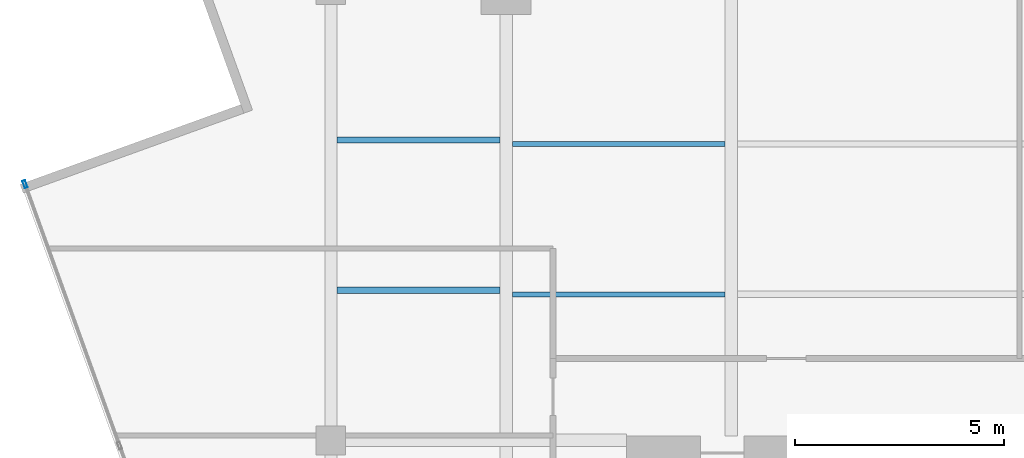
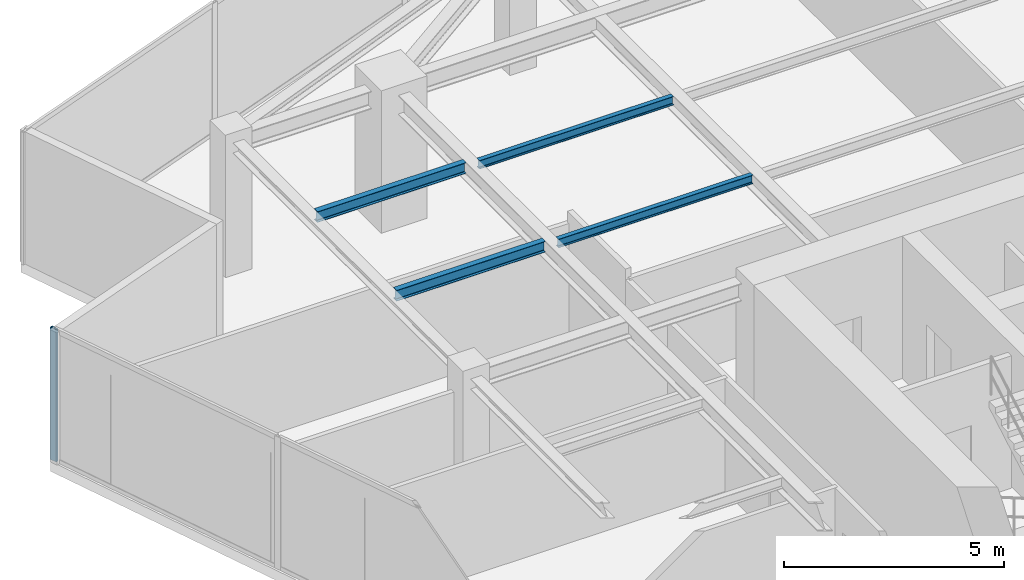
# One storey, part 7 of 21: 4 beams, 1 member, 1 element without a shape of its own.
"""IFC4 building model written with IfcOpenShell, lengths in metres."""

from ifc_helpers import new_model, si_unit, direction, frame, origin, origin_2d, place, context, subcontext, project, spatial, hollow_rectangle, i_section, extrude, source, transform, mapped, material, material_profile, profile_set, type_object, type_shapes, element, aggregate, save


model = new_model("IFC4")

# Units and contexts
model_context = context("Model", 3, precision=1e-05, world=origin(), true_north=direction((0.0, 1.0)))
body_context = subcontext(model_context, "Body", "Model", "MODEL_VIEW")
ifc_project = project(units=[si_unit("LENGTHUNIT", "METRE"), si_unit("AREAUNIT", "SQUARE_METRE"), si_unit("VOLUMEUNIT", "CUBIC_METRE"), si_unit("PLANEANGLEUNIT", "RADIAN"), si_unit("MASSUNIT", "GRAM", prefix="KILO")], contexts=[model_context])

# Site, building, storey
site_placement = place(None, origin())
site = spatial("IfcSite", under=ifc_project, at=site_placement, CompositionType="ELEMENT")
building_placement = place(site_placement, origin())
building = spatial("IfcBuilding", under=site, at=building_placement, Name="Krantzveldt Concourse Tower", CompositionType="ELEMENT")
storey_placement = place(building_placement, frame((0.0, 0.0, 335.60009765625)))
storey = spatial("IfcBuildingStorey", under=building, at=storey_placement, Name="L82", CompositionType="ELEMENT", Elevation=335.60009765625)

# Beams
ifc_material_1 = material(Name="Steel S355JR", Category="steel")
ifc_material_profile_1 = material_profile(ifc_material_1, i_section(OverallWidth=0.1201171875, OverallDepth=0.239990234375, WebThickness=0.006103515625, FlangeThickness=0.009765625, FilletRadius=0.014892578125, at=origin_2d()), Name="Steel S355JR", Category="steel")
ifc_profile_set_1 = profile_set([ifc_material_profile_1], Name="Steel S355JR - IPE 240")
beam_type_1 = type_object("IfcBeamType", Name="BM-LN-IPE240", PredefinedType="LINTEL", material=ifc_profile_set_1)
shared_shape_1 = source(origin(), body_context, "Body", "SweptSolid", [
    extrude(i_section(OverallWidth=0.1201171875, OverallDepth=0.239990234375, WebThickness=0.006103515625, FlangeThickness=0.009765625, FilletRadius=0.014892578125, at=origin_2d()), origin(), (0.0, 0.0, 1.0), 5.099853515625),
])
type_shapes(beam_type_1, [shared_shape_1])
for number, where, z_axis, x_axis, name in (
    (1, (25.35009765625, 30.199951171875, 3.5498046875), (1.0, 0.0, 0.0), (0.0, 1.0, 0.0), "L82 Secondary Floor Joist JN-W1"),
    (2, (25.35009765625, 33.800048828125, 3.5498046875), (1.0, 0.0, 0.0), (0.0, 1.0, 0.0), "L82 Secondary Floor Joist JN-W2"),
):
    element("IfcBeam", number, at=place(storey_placement, frame(where, z_axis=z_axis, x_axis=x_axis)), inside=storey, type_object=beam_type_1, Name=name, PredefinedType="LINTEL", context=body_context, shape_type="MappedRepresentation", body=[
        mapped(shared_shape_1, transform((0.0, 0.0, 0.0), x_axis=(1.0, 0.0, 0.0), y_axis=(0.0, 1.0, 0.0), z_axis=(0.0, 0.0, 1.0), scale=1.0)),
    ])
ifc_material_profile_2 = material_profile(ifc_material_1, i_section(OverallWidth=0.14990234375, OverallDepth=0.300048828125, WebThickness=0.007080078125, FlangeThickness=0.0107421875, FilletRadius=0.014892578125, at=origin_2d()), Name="Steel S355JR", Category="steel")
ifc_profile_set_2 = profile_set([ifc_material_profile_2], Name="Steel S355JR - IPE 300")
beam_type_2 = type_object("IfcBeamType", Name="BM-J-IPE300", PredefinedType="JOIST", material=ifc_profile_set_2)
shared_shape_2 = source(origin(), body_context, "Body", "SweptSolid", [
    extrude(i_section(OverallWidth=0.14990234375, OverallDepth=0.300048828125, WebThickness=0.007080078125, FlangeThickness=0.0107421875, FilletRadius=0.014892578125, at=origin_2d()), origin(), (0.0, 0.0, 1.0), 3.900146484375),
])
type_shapes(beam_type_2, [shared_shape_2])
for number, where, z_axis, x_axis, name in (
    (3, (21.14990234375, 30.300048828125, 3.52001953125), (1.0, 0.0, 0.0), (0.0, 1.0, 0.0), "L82 Secondary Floor Joist JW-3"),
    (4, (21.14990234375, 33.89990234375, 3.52001953125), (1.0, 0.0, 0.0), (0.0, 1.0, 0.0), "L82 Secondary Floor Joist JW-4"),
):
    element("IfcBeam", number, at=place(storey_placement, frame(where, z_axis=z_axis, x_axis=x_axis)), inside=storey, type_object=beam_type_2, Name=name, PredefinedType="JOIST", context=body_context, shape_type="MappedRepresentation", body=[
        mapped(shared_shape_2, transform((0.0, 0.0, 0.0), x_axis=(1.0, 0.0, 0.0), y_axis=(0.0, 1.0, 0.0), z_axis=(0.0, 0.0, 1.0), scale=1.0)),
    ])

# Curtain wall, member
ifc_material_2 = material(Name="Anodised aluminium 6063-T6", Category="aluminium")
curtain_wall_type = type_object("IfcCurtainWallType", Name="CW4", PredefinedType="USERDEFINED", material=ifc_material_2)
curtain_wall_placement = place(storey_placement, origin())
curtain_wall = element("IfcCurtainWall", 5, at=curtain_wall_placement, inside=storey, type_object=curtain_wall_type, Name="CW-L82-F04", ObjectType="UNITISED CURTAIN WALL", PredefinedType="USERDEFINED")
ifc_material_profile_3 = material_profile(ifc_material_2, hollow_rectangle(XDim=0.070068359375, YDim=0.179931640625, WallThickness=0.0048828125, at=origin_2d()), Name="Anodised aluminium 6063-T6", Category="aluminium")
ifc_profile_set_3 = profile_set([ifc_material_profile_3], Name="Anodised aluminium 6063-T6 - ALU-MULL 180x70x5")
member_type = type_object("IfcMemberType", Name="CW-MUL-180", PredefinedType="MULLION", material=ifc_profile_set_3)
shared_shape_3 = source(origin(), body_context, "Body", "SweptSolid", [
    extrude(hollow_rectangle(XDim=0.070068359375, YDim=0.179931640625, WallThickness=0.0048828125, at=origin_2d()), origin(), (0.0, 0.0, 1.0), 3.669921875),
])
type_shapes(member_type, [shared_shape_3])
member_placement = place(storey_placement, frame((13.672607421875, 32.840087890625, 0.0), z_axis=(0.0, 0.0, 1.0), x_axis=(0.940436624478, 0.339969050563, 0.0)))
member = element("IfcMember", 6, at=member_placement, type_object=member_type, Name="CW-Z56 mullion 1", PredefinedType="MULLION", context=body_context, shape_type="MappedRepresentation", body=[
    mapped(shared_shape_3, transform((0.0, 0.0, 0.0), x_axis=(1.0, 0.0, 0.0), y_axis=(0.0, 1.0, 0.0), z_axis=(0.0, 0.0, 1.0), scale=1.0)),
])
aggregate(curtain_wall, [member])

save(model, "model.ifc")
